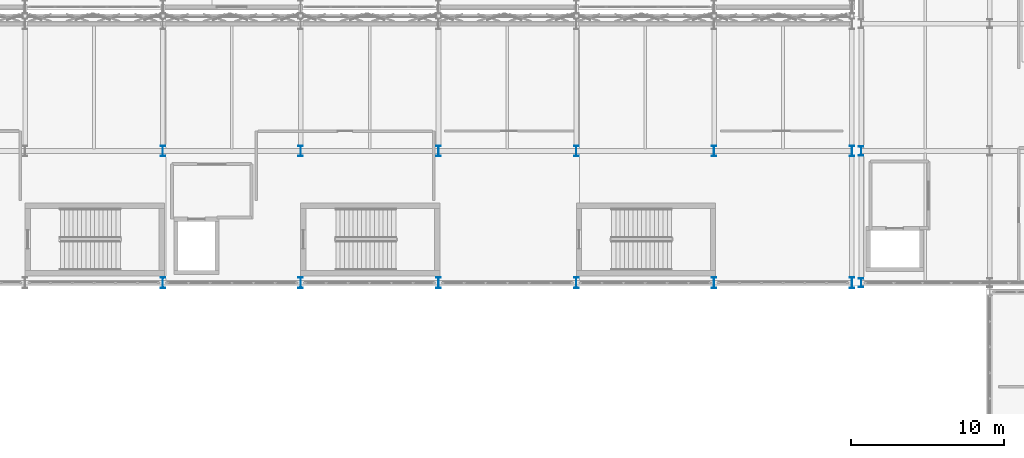
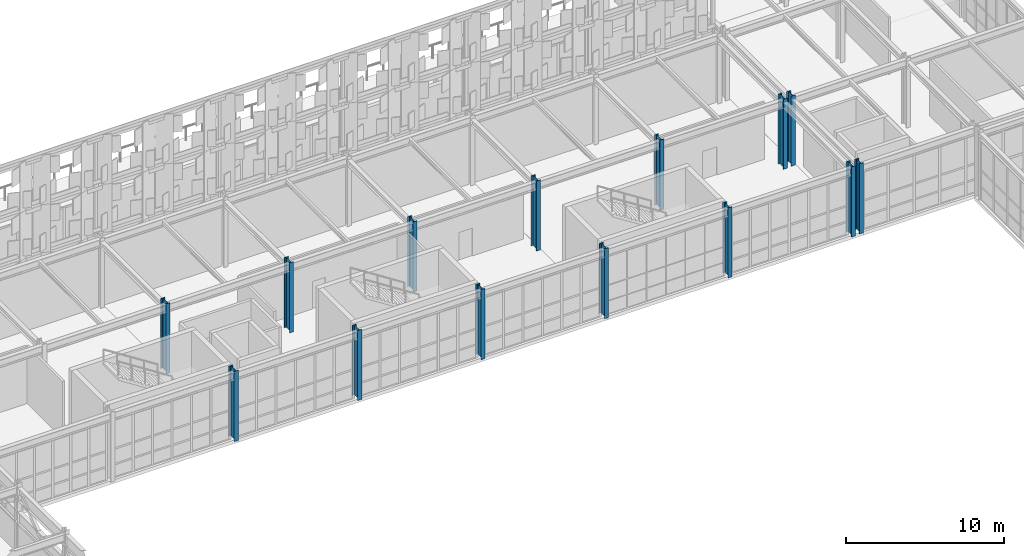
# One storey, part 5 of 210: 14 columns.
"""IFC4 building model written with IfcOpenShell, lengths in metres."""

from ifc_helpers import new_model, si_unit, direction, frame, origin, origin_2d, place, context, subcontext, project, spatial, i_section, extrude, material, material_profile, profile_set, type_object, element, save


model = new_model("IFC4")

# Units and contexts
model_context = context("Model", 3, precision=1e-05, world=origin(), true_north=direction((0.0, 1.0)))
body_context = subcontext(model_context, "Body", "Model", "MODEL_VIEW")
ifc_project = project(units=[si_unit("LENGTHUNIT", "METRE"), si_unit("AREAUNIT", "SQUARE_METRE"), si_unit("VOLUMEUNIT", "CUBIC_METRE"), si_unit("PLANEANGLEUNIT", "RADIAN"), si_unit("MASSUNIT", "GRAM", prefix="KILO")], contexts=[model_context])

# Site, building, storey
site_placement = place(None, origin())
site = spatial("IfcSite", under=ifc_project, at=site_placement, CompositionType="ELEMENT")
building_placement = place(site_placement, origin())
building = spatial("IfcBuilding", under=site, at=building_placement, Name="Kaldris Quays Convention Centre", CompositionType="ELEMENT")
storey_placement = place(building_placement, frame((0.0, 0.0, 6.0)))
storey = spatial("IfcBuildingStorey", under=building, at=storey_placement, Name="L01", CompositionType="ELEMENT", Elevation=6.0)

# Columns
ifc_material = material(Name="Steel S355J2", Category="steel")
ifc_material_profile_1 = material_profile(ifc_material, i_section(OverallWidth=0.300048828125, OverallDepth=0.699951171875, WebThickness=0.01708984375, FlangeThickness=0.031982421875, FilletRadius=0.027099609375, at=origin_2d()), Name="HEB 700")
ifc_profile_set_1 = profile_set([ifc_material_profile_1], Name="Steel S355J2")
column_type_1 = type_object("IfcColumnType", Name="STRUCTURAL COLUMN CL05", PredefinedType="COLUMN", material=ifc_profile_set_1)
for number, where, z_axis, x_axis, name in (
    (1, (101.0, 38.0, 0.0), (0.0, 0.0, 1.0), (1.0, 0.0, 0.0), "L01 V4 Column CL05 (101.00, 38.00)"),
    (2, (101.0, 46.60009765625, 0.0), (0.0, 0.0, 1.0), (1.0, 0.0, 0.0), "L01 V4 Column CL05 (101.00, 46.60)"),
    (3, (110.0, 38.0, 0.0), (0.0, 0.0, 1.0), (1.0, 0.0, 0.0), "L01 V4 Column CL05 (110.00, 38.00)"),
    (4, (110.0, 46.60009765625, 0.0), (0.0, 0.0, 1.0), (1.0, 0.0, 0.0), "L01 V4 Column CL05 (110.00, 46.60)"),
    (5, (119.0, 38.0, 0.0), (0.0, 0.0, 1.0), (1.0, 0.0, 0.0), "L01 V4 Column CL05 (119.00, 38.00)"),
    (6, (119.0, 46.60009765625, 0.0), (0.0, 0.0, 1.0), (1.0, 0.0, 0.0), "L01 V4 Column CL05 (119.00, 46.60)"),
    (7, (128.0, 38.0, 0.0), (0.0, 0.0, 1.0), (1.0, 0.0, 0.0), "L01 V4 Column CL05 (128.00, 38.00)"),
    (8, (128.0, 46.60009765625, 0.0), (0.0, 0.0, 1.0), (1.0, 0.0, 0.0), "L01 V4 Column CL05 (128.00, 46.60)"),
    (9, (137.0, 38.0, 0.0), (0.0, 0.0, 1.0), (1.0, 0.0, 0.0), "L01 V4 Column CL05 (137.00, 38.00)"),
    (10, (137.0, 46.60009765625, 0.0), (0.0, 0.0, 1.0), (1.0, 0.0, 0.0), "L01 V4 Column CL05 (137.00, 46.60)"),
    (11, (146.0, 38.0, 0.0), (0.0, 0.0, 1.0), (1.0, 0.0, 0.0), "L01 V4 Column CL05 (146.00, 38.00)"),
    (12, (146.0, 46.60009765625, 0.0), (0.0, 0.0, 1.0), (1.0, 0.0, 0.0), "L01 V4 Column CL05 (146.00, 46.60)"),
):
    element("IfcColumn", number, at=place(storey_placement, frame(where, z_axis=z_axis, x_axis=x_axis)), inside=storey, type_object=column_type_1, Name=name, PredefinedType="COLUMN", context=body_context, shape_type="SweptSolid", body=[
        extrude(i_section(OverallWidth=0.300048828125, OverallDepth=0.699951171875, WebThickness=0.01708984375, FlangeThickness=0.031982421875, FilletRadius=0.027099609375, at=origin_2d()), origin(), (0.0, 0.0, 1.0), 5.39990234375),
    ])
ifc_material_profile_2 = material_profile(ifc_material, i_section(OverallWidth=0.300048828125, OverallDepth=0.60009765625, WebThickness=0.015380859375, FlangeThickness=0.030029296875, FilletRadius=0.027099609375, at=origin_2d()), Name="HEB 600")
ifc_profile_set_2 = profile_set([ifc_material_profile_2], Name="Steel S355J2")
column_type_2 = type_object("IfcColumnType", Name="STRUCTURAL COLUMN CL06", PredefinedType="COLUMN", material=ifc_profile_set_2)
for number, where, z_axis, x_axis, name in (
    (13, (146.60009765625, 38.0, 0.0), (0.0, 0.0, 1.0), (1.0, 0.0, 0.0), "L01 V4 Column CL06 (146.60, 38.00)"),
    (14, (146.60009765625, 46.60009765625, 0.0), (0.0, 0.0, 1.0), (1.0, 0.0, 0.0), "L01 V4 Column CL06 (146.60, 46.60)"),
):
    element("IfcColumn", number, at=place(storey_placement, frame(where, z_axis=z_axis, x_axis=x_axis)), inside=storey, type_object=column_type_2, Name=name, PredefinedType="COLUMN", context=body_context, shape_type="SweptSolid", body=[
        extrude(i_section(OverallWidth=0.300048828125, OverallDepth=0.60009765625, WebThickness=0.015380859375, FlangeThickness=0.030029296875, FilletRadius=0.027099609375, at=origin_2d()), origin(), (0.0, 0.0, 1.0), 5.39990234375),
    ])

save(model, "model.ifc")
